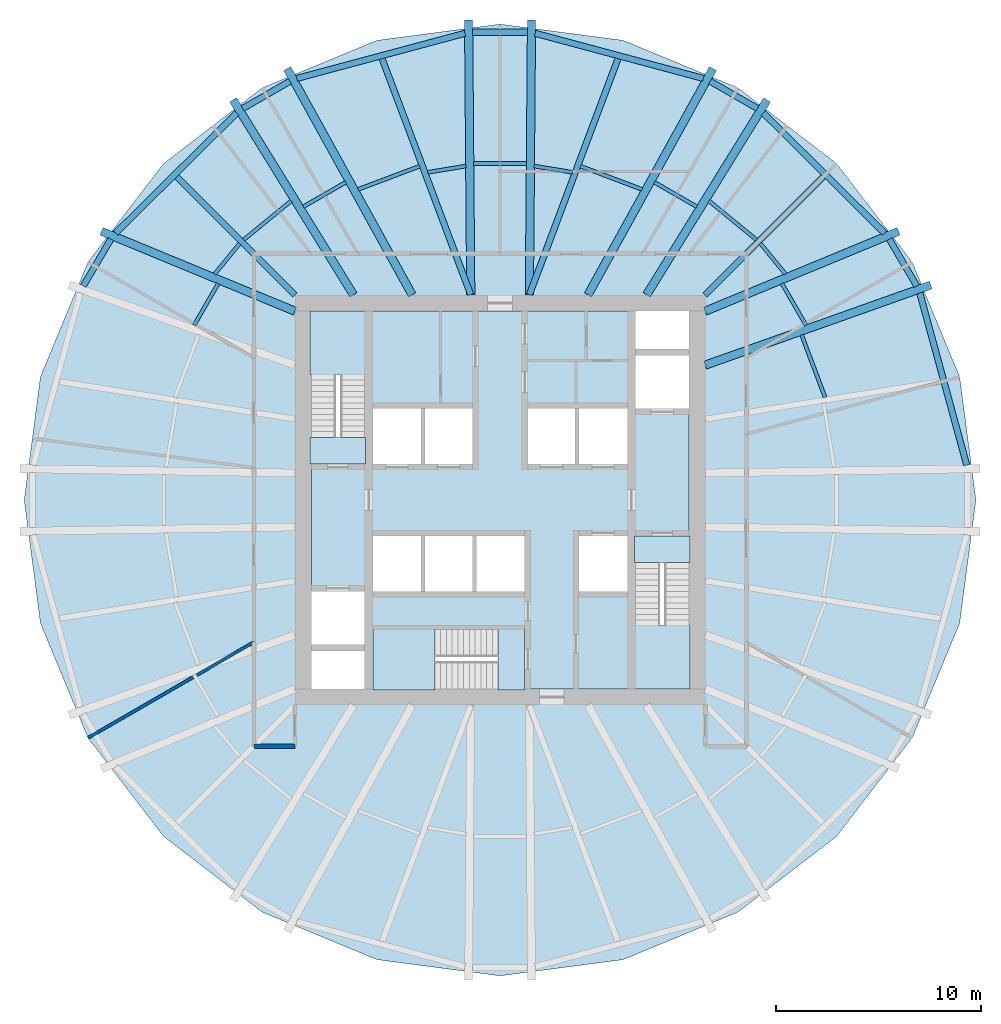
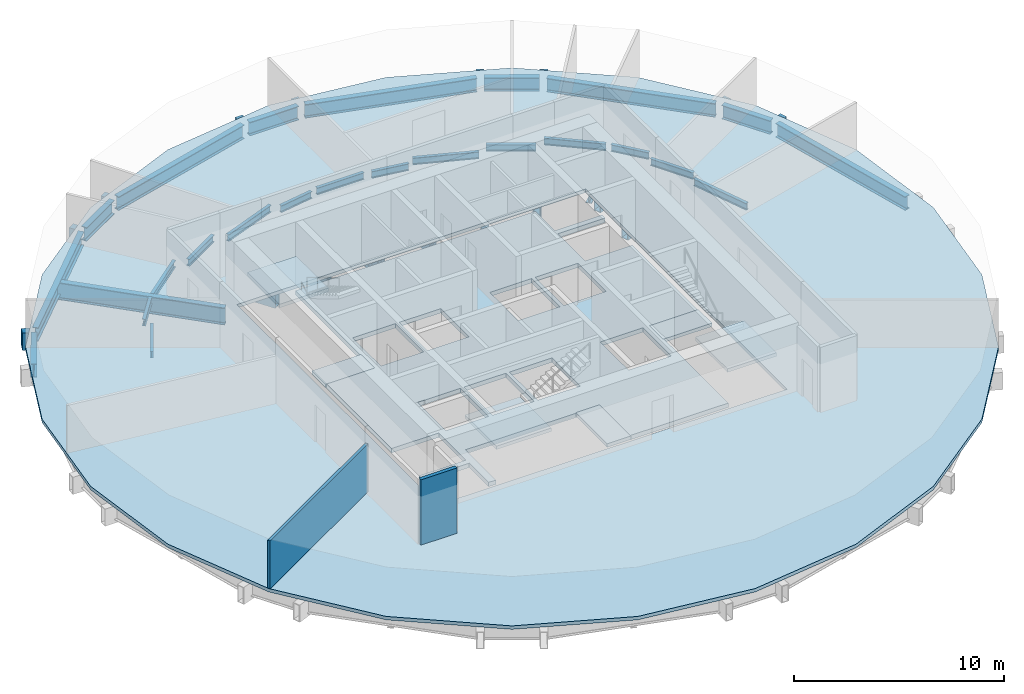
# One storey, part 2 of 6: 37 beams, 8 slabs, 2 walls, 3 elements without a shape of their own.
"""IFC4 building model written with IfcOpenShell, lengths in metres."""

from ifc_helpers import new_model, si_unit, direction, frame, frame_2d, origin, origin_2d, place, context, subcontext, project, spatial, polyline, rectangle, hollow_rectangle, i_section, outline, extrude, material, layer, layer_set, material_profile, profile_set, type_object, element, aggregate, save


model = new_model("IFC4")

# Units and contexts
model_context = context("Model", 3, precision=1e-05, world=origin(), true_north=direction((0.0, 1.0)))
body_context = subcontext(model_context, "Body", "Model", "MODEL_VIEW")
ifc_project = project(units=[si_unit("LENGTHUNIT", "METRE"), si_unit("AREAUNIT", "SQUARE_METRE"), si_unit("VOLUMEUNIT", "CUBIC_METRE"), si_unit("PLANEANGLEUNIT", "RADIAN"), si_unit("MASSUNIT", "GRAM", prefix="KILO")], contexts=[model_context])

# Site, building, storey
site_placement = place(None, origin())
site = spatial("IfcSite", under=ifc_project, at=site_placement, CompositionType="ELEMENT")
building_placement = place(site_placement, origin())
building = spatial("IfcBuilding", under=site, at=building_placement, Name="Golbaran Civic Tower", CompositionType="ELEMENT")
storey_placement = place(building_placement, frame((0.0, 0.0, 49.0)))
storey = spatial("IfcBuildingStorey", under=building, at=storey_placement, Name="L11", CompositionType="ELEMENT", Elevation=49.0)

# Beams
ifc_material_1 = material(Name="Steel S355", Category="steel")
ifc_material_profile_1 = material_profile(ifc_material_1, i_section(OverallWidth=0.300048828125, OverallDepth=0.800048828125, WebThickness=0.017578125, FlangeThickness=0.032958984375, FilletRadius=0.030029296875, at=origin_2d()), Name="HEB 800")
ifc_profile_set_1 = profile_set([ifc_material_profile_1], Name="Steel S355")
beam_type_1 = type_object("IfcBeamType", Name="EDGE BEAM HEB 800", PredefinedType="BEAM", material=ifc_profile_set_1)
beam_1_placement = place(storey_placement, frame((22.742431640625, 1.697998046875, -0.60009765625), z_axis=(-0.263276423612, 0.964720438661, 0.0), x_axis=(-0.964720438661, -0.263276423612, 0.0)))
element("IfcBeam", 1, at=beam_1_placement, inside=storey, type_object=beam_type_1, Name="Edge beam 3.66 L11", PredefinedType="BEAM", context=body_context, shape_type="SweptSolid", body=[
    extrude(i_section(OverallWidth=0.300048828125, OverallDepth=0.800048828125, WebThickness=0.017578125, FlangeThickness=0.032958984375, FilletRadius=0.030029296875, at=origin_2d()), origin(), (0.0, 0.0, 1.0), 8.703857421875),
])
beam_2_placement = place(storey_placement, frame((20.310546875, 10.427001953125, -0.60009765625), z_axis=(-0.507587353896, 0.861600300699, 0.0), x_axis=(-0.861600300699, -0.507587353896, 0.0)))
element("IfcBeam", 2, at=beam_2_placement, inside=storey, type_object=beam_type_1, Name="Edge beam 26.34 L11", PredefinedType="BEAM", context=body_context, shape_type="SweptSolid", body=[
    extrude(i_section(OverallWidth=0.300048828125, OverallDepth=0.800048828125, WebThickness=0.017578125, FlangeThickness=0.032958984375, FilletRadius=0.030029296875, at=origin_2d()), origin(), (0.0, 0.0, 1.0), 2.651611328125),
])
beam_3_placement = place(storey_placement, frame((18.733642578125, 13.005615234375, -0.60009765625), z_axis=(-0.710314694297, 0.703884248344, 0.0), x_axis=(-0.703884248344, -0.710314694297, 0.0)))
element("IfcBeam", 3, at=beam_3_placement, inside=storey, type_object=beam_type_1, Name="Edge beam 33.66 L11", PredefinedType="BEAM", context=body_context, shape_type="SweptSolid", body=[
    extrude(i_section(OverallWidth=0.300048828125, OverallDepth=0.800048828125, WebThickness=0.017578125, FlangeThickness=0.032958984375, FilletRadius=0.030029296875, at=origin_2d()), origin(), (0.0, 0.0, 1.0), 8.314697265625),
])
beam_4_placement = place(storey_placement, frame((12.54052734375, 19.078369140625, -0.60009765625), z_axis=(-0.866205476031, 0.499687975934, 0.0), x_axis=(-0.499687975934, -0.866205476031, 0.0)))
element("IfcBeam", 4, at=beam_4_placement, inside=storey, type_object=beam_type_1, Name="Edge beam 56.34 L11", PredefinedType="BEAM", context=body_context, shape_type="SweptSolid", body=[
    extrude(i_section(OverallWidth=0.300048828125, OverallDepth=0.800048828125, WebThickness=0.017578125, FlangeThickness=0.032958984375, FilletRadius=0.030029296875, at=origin_2d()), origin(), (0.0, 0.0, 1.0), 2.656494140625),
])
beam_5_placement = place(storey_placement, frame((9.904541015625, 20.543701171875, -0.60009765625), z_axis=(-0.96584705219, 0.259112855288, 0.0), x_axis=(-0.259112855288, -0.96584705219, 0.0)))
element("IfcBeam", 5, at=beam_5_placement, inside=storey, type_object=beam_type_1, Name="Edge beam 63.66 L11", PredefinedType="BEAM", context=body_context, shape_type="SweptSolid", body=[
    extrude(i_section(OverallWidth=0.300048828125, OverallDepth=0.800048828125, WebThickness=0.017578125, FlangeThickness=0.032958984375, FilletRadius=0.030029296875, at=origin_2d()), origin(), (0.0, 0.0, 1.0), 8.485595703125),
])
beam_6_placement = place(storey_placement, frame((1.34912109375, 22.790771484375, -0.60009765625), z_axis=(-1.0, 0.0, 0.0), x_axis=(0.0, -1.0, 0.0)))
element("IfcBeam", 6, at=beam_6_placement, inside=storey, type_object=beam_type_1, Name="Edge beam 86.34 L11", PredefinedType="BEAM", context=body_context, shape_type="SweptSolid", body=[
    extrude(i_section(OverallWidth=0.300048828125, OverallDepth=0.800048828125, WebThickness=0.017578125, FlangeThickness=0.032958984375, FilletRadius=0.030029296875, at=origin_2d()), origin(), (0.0, 0.0, 1.0), 2.6982421875),
])
beam_7_placement = place(storey_placement, frame((-1.708740234375, 22.742431640625, -0.60009765625), z_axis=(-0.96584705219, -0.259112855288, 0.0), x_axis=(0.259112855288, -0.96584705219, 0.0)))
element("IfcBeam", 7, at=beam_7_placement, inside=storey, type_object=beam_type_1, Name="Edge beam 93.66 L11", PredefinedType="BEAM", context=body_context, shape_type="SweptSolid", body=[
    extrude(i_section(OverallWidth=0.300048828125, OverallDepth=0.800048828125, WebThickness=0.017578125, FlangeThickness=0.032958984375, FilletRadius=0.030029296875, at=origin_2d()), origin(), (0.0, 0.0, 1.0), 8.485595703125),
])
beam_8_placement = place(storey_placement, frame((-10.239501953125, 20.40576171875, -0.60009765625), z_axis=(-0.866205476031, -0.499687975934, 0.0), x_axis=(0.499687975934, -0.866205476031, 0.0)))
element("IfcBeam", 8, at=beam_8_placement, inside=storey, type_object=beam_type_1, Name="Edge beam 116.34 L11", PredefinedType="BEAM", context=body_context, shape_type="SweptSolid", body=[
    extrude(i_section(OverallWidth=0.300048828125, OverallDepth=0.800048828125, WebThickness=0.017578125, FlangeThickness=0.032958984375, FilletRadius=0.030029296875, at=origin_2d()), origin(), (0.0, 0.0, 1.0), 2.656494140625),
])
beam_9_placement = place(storey_placement, frame((-12.82763671875, 18.858154296875, -0.60009765625), z_axis=(-0.710314694297, -0.703884248344, 0.0), x_axis=(0.703884248344, -0.710314694297, 0.0)))
element("IfcBeam", 9, at=beam_9_placement, inside=storey, type_object=beam_type_1, Name="Edge beam 123.66 L11", PredefinedType="BEAM", context=body_context, shape_type="SweptSolid", body=[
    extrude(i_section(OverallWidth=0.300048828125, OverallDepth=0.800048828125, WebThickness=0.017578125, FlangeThickness=0.032958984375, FilletRadius=0.030029296875, at=origin_2d()), origin(), (0.0, 0.0, 1.0), 8.314697265625),
])
beam_10_placement = place(storey_placement, frame((-18.964599609375, 12.711669921875, -0.60009765625), z_axis=(-0.507587353896, -0.861600300699, 0.0), x_axis=(0.861600300699, -0.507587353896, 0.0)))
element("IfcBeam", 10, at=beam_10_placement, inside=storey, type_object=beam_type_1, Name="Edge beam 146.34 L11", PredefinedType="BEAM", context=body_context, shape_type="SweptSolid", body=[
    extrude(i_section(OverallWidth=0.300048828125, OverallDepth=0.800048828125, WebThickness=0.017578125, FlangeThickness=0.032958984375, FilletRadius=0.030029296875, at=origin_2d()), origin(), (0.0, 0.0, 1.0), 2.651611328125),
])
ifc_material_profile_2 = material_profile(ifc_material_1, i_section(OverallWidth=0.179931640625, OverallDepth=0.39990234375, WebThickness=0.008544921875, FlangeThickness=0.013427734375, FilletRadius=0.02099609375, at=origin_2d()), Name="IPE 400")
ifc_profile_set_2 = profile_set([ifc_material_profile_2], Name="Steel S355")
beam_type_2 = type_object("IfcBeamType", Name="FLOOR INFILL BEAM IPE 400", PredefinedType="BEAM", material=ifc_profile_set_2)
beam_11_placement = place(storey_placement, frame((15.840576171875, 5.004638671875, -0.39990234375), z_axis=(-0.352981635382, 0.935630250197, 0.0), x_axis=(-0.935630250197, -0.352981635382, 0.0)))
element("IfcBeam", 11, at=beam_11_placement, inside=storey, type_object=beam_type_2, Name="Infill beam 20.67 L11", PredefinedType="BEAM", context=body_context, shape_type="SweptSolid", body=[
    extrude(i_section(OverallWidth=0.179931640625, OverallDepth=0.39990234375, WebThickness=0.008544921875, FlangeThickness=0.013427734375, FilletRadius=0.02099609375, at=origin_2d()), origin(), (0.0, 0.0, 1.0), 3.2529296875),
])
beam_12_placement = place(storey_placement, frame((14.91357421875, 8.5087890625, -0.39990234375), z_axis=(-0.499994490818, 0.866028584489, 0.0), x_axis=(-0.866028584489, -0.499994490818, 0.0)))
element("IfcBeam", 12, at=beam_12_placement, inside=storey, type_object=beam_type_2, Name="Infill beam 30.00 L11", PredefinedType="BEAM", context=body_context, shape_type="SweptSolid", body=[
    extrude(i_section(OverallWidth=0.179931640625, OverallDepth=0.39990234375, WebThickness=0.008544921875, FlangeThickness=0.013427734375, FilletRadius=0.02099609375, at=origin_2d()), origin(), (0.0, 0.0, 1.0), 2.3564453125),
])
beam_13_placement = place(storey_placement, frame((13.908203125, 11.0107421875, -0.39990234375), z_axis=(-0.633823662999, 0.773477578358, 0.0), x_axis=(-0.773477578358, -0.633823662999, 0.0)))
element("IfcBeam", 13, at=beam_13_placement, inside=storey, type_object=beam_type_2, Name="Infill beam 39.33 L11", PredefinedType="BEAM", context=body_context, shape_type="SweptSolid", body=[
    extrude(i_section(OverallWidth=0.179931640625, OverallDepth=0.39990234375, WebThickness=0.008544921875, FlangeThickness=0.013427734375, FilletRadius=0.02099609375, at=origin_2d()), origin(), (0.0, 0.0, 1.0), 1.92822265625),
])
beam_14_placement = place(storey_placement, frame((12.4951171875, 12.678955078125, -0.39990234375), z_axis=(-0.773506224093, 0.633788703978, 0.0), x_axis=(-0.633788703978, -0.773506224093, 0.0)))
element("IfcBeam", 14, at=beam_14_placement, inside=storey, type_object=beam_type_2, Name="Infill beam 50.67 L11", PredefinedType="BEAM", context=body_context, shape_type="SweptSolid", body=[
    extrude(i_section(OverallWidth=0.179931640625, OverallDepth=0.39990234375, WebThickness=0.008544921875, FlangeThickness=0.013427734375, FilletRadius=0.02099609375, at=origin_2d()), origin(), (0.0, 0.0, 1.0), 2.991455078125),
])
beam_15_placement = place(storey_placement, frame((9.58349609375, 14.292724609375, -0.39990234375), z_axis=(-0.866052464367, 0.499953126767, 0.0), x_axis=(-0.499953126767, -0.866052464367, 0.0)))
element("IfcBeam", 15, at=beam_15_placement, inside=storey, type_object=beam_type_2, Name="Infill beam 60.00 L11", PredefinedType="BEAM", context=body_context, shape_type="SweptSolid", body=[
    extrude(i_section(OverallWidth=0.179931640625, OverallDepth=0.39990234375, WebThickness=0.008544921875, FlangeThickness=0.013427734375, FilletRadius=0.02099609375, at=origin_2d()), origin(), (0.0, 0.0, 1.0), 2.382080078125),
])
beam_16_placement = place(storey_placement, frame((6.9169921875, 15.1357421875, -0.39990234375), z_axis=(-0.935647784584, 0.352935154387, 0.0), x_axis=(-0.352935154387, -0.935647784584, 0.0)))
element("IfcBeam", 16, at=beam_16_placement, inside=storey, type_object=beam_type_2, Name="Infill beam 69.33 L11", PredefinedType="BEAM", context=body_context, shape_type="SweptSolid", body=[
    extrude(i_section(OverallWidth=0.179931640625, OverallDepth=0.39990234375, WebThickness=0.008544921875, FlangeThickness=0.013427734375, FilletRadius=0.02099609375, at=origin_2d()), origin(), (0.0, 0.0, 1.0), 3.203369140625),
])
beam_17_placement = place(storey_placement, frame((3.529052734375, 15.9658203125, -0.39990234375), z_axis=(-0.986774033504, 0.162101840838, 0.0), x_axis=(-0.162101840838, -0.986774033504, 0.0)))
element("IfcBeam", 17, at=beam_17_placement, inside=storey, type_object=beam_type_2, Name="Infill beam 80.67 L11", PredefinedType="BEAM", context=body_context, shape_type="SweptSolid", body=[
    extrude(i_section(OverallWidth=0.179931640625, OverallDepth=0.39990234375, WebThickness=0.008544921875, FlangeThickness=0.013427734375, FilletRadius=0.02099609375, at=origin_2d()), origin(), (0.0, 0.0, 1.0), 1.896240234375),
])
beam_18_placement = place(storey_placement, frame((1.298828125, 16.395263671875, -0.39990234375), z_axis=(-1.0, 0.0, 0.0), x_axis=(0.0, -1.0, 0.0)))
element("IfcBeam", 18, at=beam_18_placement, inside=storey, type_object=beam_type_2, Name="Infill beam 90.00 L11", PredefinedType="BEAM", context=body_context, shape_type="SweptSolid", body=[
    extrude(i_section(OverallWidth=0.179931640625, OverallDepth=0.39990234375, WebThickness=0.008544921875, FlangeThickness=0.013427734375, FilletRadius=0.02099609375, at=origin_2d()), origin(), (0.0, 0.0, 1.0), 2.59765625),
])
beam_19_placement = place(storey_placement, frame((-1.657958984375, 16.273193359375, -0.39990234375), z_axis=(-0.986774033504, -0.162101840838, 0.0), x_axis=(0.162101840838, -0.986774033504, 0.0)))
element("IfcBeam", 19, at=beam_19_placement, inside=storey, type_object=beam_type_2, Name="Infill beam 99.33 L11", PredefinedType="BEAM", context=body_context, shape_type="SweptSolid", body=[
    extrude(i_section(OverallWidth=0.179931640625, OverallDepth=0.39990234375, WebThickness=0.008544921875, FlangeThickness=0.013427734375, FilletRadius=0.02099609375, at=origin_2d()), origin(), (0.0, 0.0, 1.0), 1.896240234375),
])
beam_20_placement = place(storey_placement, frame((-3.919677734375, 16.266357421875, -0.39990234375), z_axis=(-0.935647784584, -0.352935154387, 0.0), x_axis=(0.352935154387, -0.935647784584, 0.0)))
element("IfcBeam", 20, at=beam_20_placement, inside=storey, type_object=beam_type_2, Name="Infill beam 110.67 L11", PredefinedType="BEAM", context=body_context, shape_type="SweptSolid", body=[
    extrude(i_section(OverallWidth=0.179931640625, OverallDepth=0.39990234375, WebThickness=0.008544921875, FlangeThickness=0.013427734375, FilletRadius=0.02099609375, at=origin_2d()), origin(), (0.0, 0.0, 1.0), 3.203369140625),
])
beam_21_placement = place(storey_placement, frame((-7.5205078125, 15.483642578125, -0.39990234375), z_axis=(-0.866052464367, -0.499953126767, 0.0), x_axis=(0.499953126767, -0.866052464367, 0.0)))
element("IfcBeam", 21, at=beam_21_placement, inside=storey, type_object=beam_type_2, Name="Infill beam 120.00 L11", PredefinedType="BEAM", context=body_context, shape_type="SweptSolid", body=[
    extrude(i_section(OverallWidth=0.179931640625, OverallDepth=0.39990234375, WebThickness=0.008544921875, FlangeThickness=0.013427734375, FilletRadius=0.02099609375, at=origin_2d()), origin(), (0.0, 0.0, 1.0), 2.382080078125),
])
beam_22_placement = place(storey_placement, frame((-10.18115234375, 14.574951171875, -0.39990234375), z_axis=(-0.773506224093, -0.633788703978, 0.0), x_axis=(0.633788703978, -0.773506224093, 0.0)))
element("IfcBeam", 22, at=beam_22_placement, inside=storey, type_object=beam_type_2, Name="Infill beam 129.33 L11", PredefinedType="BEAM", context=body_context, shape_type="SweptSolid", body=[
    extrude(i_section(OverallWidth=0.179931640625, OverallDepth=0.39990234375, WebThickness=0.008544921875, FlangeThickness=0.013427734375, FilletRadius=0.02099609375, at=origin_2d()), origin(), (0.0, 0.0, 1.0), 2.991455078125),
])
beam_23_placement = place(storey_placement, frame((-12.68603515625, 12.502197265625, -0.39990234375), z_axis=(-0.633823662999, -0.773477578358, 0.0), x_axis=(0.773477578358, -0.633823662999, 0.0)))
element("IfcBeam", 23, at=beam_23_placement, inside=storey, type_object=beam_type_2, Name="Infill beam 140.67 L11", PredefinedType="BEAM", context=body_context, shape_type="SweptSolid", body=[
    extrude(i_section(OverallWidth=0.179931640625, OverallDepth=0.39990234375, WebThickness=0.008544921875, FlangeThickness=0.013427734375, FilletRadius=0.02099609375, at=origin_2d()), origin(), (0.0, 0.0, 1.0), 1.92822265625),
])
beam_24_placement = place(storey_placement, frame((-13.7353515625, 10.549560546875, -0.39990234375), z_axis=(-0.499994490818, -0.866028584489, 0.0), x_axis=(0.866028584489, -0.499994490818, 0.0)))
element("IfcBeam", 24, at=beam_24_placement, inside=storey, type_object=beam_type_2, Name="Infill beam 150.00 L11", PredefinedType="BEAM", context=body_context, shape_type="SweptSolid", body=[
    extrude(i_section(OverallWidth=0.179931640625, OverallDepth=0.39990234375, WebThickness=0.008544921875, FlangeThickness=0.013427734375, FilletRadius=0.02099609375, at=origin_2d()), origin(), (0.0, 0.0, 1.0), 2.3564453125),
])
ifc_material_profile_3 = material_profile(ifc_material_1, hollow_rectangle(XDim=0.39990234375, YDim=1.0, WallThickness=0.0400390625, at=origin_2d()), Name="BOX 1000x400x40")
ifc_profile_set_3 = profile_set([ifc_material_profile_3], Name="Steel S355")
beam_type_3 = type_object("IfcBeamType", Name="RADIAL FLOOR BEAM BOX 1000x400x40", PredefinedType="BEAM", material=ifc_profile_set_3)
beam_25_placement = place(storey_placement, frame((10.0, 6.571533203125, -0.7099609375), z_axis=(0.942260349036, 0.334881224668, 0.0), x_axis=(-0.334881224668, 0.942260349036, 0.0)))
element("IfcBeam", 25, at=beam_25_placement, inside=storey, type_object=beam_type_3, Name="Radial beam 26.34 L11", PredefinedType="BEAM", context=body_context, shape_type="SweptSolid", body=[
    extrude(hollow_rectangle(XDim=0.39990234375, YDim=1.0, WallThickness=0.0400390625, at=origin_2d()), origin(), (0.0, 0.0, 1.0), 11.662353515625),
])
beam_26_placement = place(storey_placement, frame((10.0, 9.199951171875, -0.7099609375), z_axis=(0.924125618156, 0.382088787937, 0.0), x_axis=(-0.382088787937, 0.924125618156, 0.0)))
element("IfcBeam", 26, at=beam_26_placement, inside=storey, type_object=beam_type_3, Name="Radial beam 33.66 L11", PredefinedType="BEAM", context=body_context, shape_type="SweptSolid", body=[
    extrude(hollow_rectangle(XDim=0.39990234375, YDim=1.0, WallThickness=0.0400390625, at=origin_2d()), origin(), (0.0, 0.0, 1.0), 10.194580078125),
])
beam_27_placement = place(storey_placement, frame((7.142822265625, 10.0, -0.7099609375), z_axis=(0.525628799704, 0.8507140324, 0.0), x_axis=(-0.8507140324, 0.525628799704, 0.0)))
element("IfcBeam", 27, at=beam_27_placement, inside=storey, type_object=beam_type_3, Name="Radial beam 56.34 L11", PredefinedType="BEAM", context=body_context, shape_type="SweptSolid", body=[
    extrude(hollow_rectangle(XDim=0.39990234375, YDim=1.0, WallThickness=0.0400390625, at=origin_2d()), origin(), (0.0, 0.0, 1.0), 11.166015625),
])
beam_28_placement = place(storey_placement, frame((4.28564453125, 10.0, -0.7099609375), z_axis=(0.483540685927, 0.875321886539, 0.0), x_axis=(-0.875321886539, 0.483540685927, 0.0)))
element("IfcBeam", 28, at=beam_28_placement, inside=storey, type_object=beam_type_3, Name="Radial beam 63.66 L11", PredefinedType="BEAM", context=body_context, shape_type="SweptSolid", body=[
    extrude(hollow_rectangle(XDim=0.39990234375, YDim=1.0, WallThickness=0.0400390625, at=origin_2d()), origin(), (0.0, 0.0, 1.0), 12.59033203125),
])
for number, where, z_axis, x_axis, name in (
    (29, (1.428466796875, 10.0, -0.7099609375), (0.007858697544, 0.99996911996, 0.0), (-0.99996911996, 0.007858697544, 0.0), "Radial beam 86.34 L11"),
    (30, (-1.428466796875, 10.0, -0.7099609375), (-0.007858697544, 0.99996911996, 0.0), (-0.99996911996, -0.007858697544, 0.0), "Radial beam 93.66 L11"),
):
    element("IfcBeam", number, at=place(storey_placement, frame(where, z_axis=z_axis, x_axis=x_axis)), inside=storey, type_object=beam_type_3, Name=name, PredefinedType="BEAM", context=body_context, shape_type="SweptSolid", body=[
        extrude(hollow_rectangle(XDim=0.39990234375, YDim=1.0, WallThickness=0.0400390625, at=origin_2d()), origin(), (0.0, 0.0, 1.0), 13.3896484375),
    ])
beam_29_placement = place(storey_placement, frame((-4.28564453125, 10.0, -0.7099609375), z_axis=(-0.483540685927, 0.875321886539, 0.0), x_axis=(-0.875321886539, -0.483540685927, 0.0)))
element("IfcBeam", 31, at=beam_29_placement, inside=storey, type_object=beam_type_3, Name="Radial beam 116.34 L11", PredefinedType="BEAM", context=body_context, shape_type="SweptSolid", body=[
    extrude(hollow_rectangle(XDim=0.39990234375, YDim=1.0, WallThickness=0.0400390625, at=origin_2d()), origin(), (0.0, 0.0, 1.0), 12.59033203125),
])
beam_30_placement = place(storey_placement, frame((-7.142822265625, 10.0, -0.7099609375), z_axis=(-0.525628799704, 0.8507140324, 0.0), x_axis=(-0.8507140324, -0.525628799704, 0.0)))
element("IfcBeam", 32, at=beam_30_placement, inside=storey, type_object=beam_type_3, Name="Radial beam 123.66 L11", PredefinedType="BEAM", context=body_context, shape_type="SweptSolid", body=[
    extrude(hollow_rectangle(XDim=0.39990234375, YDim=1.0, WallThickness=0.0400390625, at=origin_2d()), origin(), (0.0, 0.0, 1.0), 11.166015625),
])
beam_31_placement = place(storey_placement, frame((-10.0, 9.199951171875, -0.7099609375), z_axis=(-0.924125618156, 0.382088787937, 0.0), x_axis=(-0.382088787937, -0.924125618156, 0.0)))
element("IfcBeam", 33, at=beam_31_placement, inside=storey, type_object=beam_type_3, Name="Radial beam 146.34 L11", PredefinedType="BEAM", context=body_context, shape_type="SweptSolid", body=[
    extrude(hollow_rectangle(XDim=0.39990234375, YDim=1.0, WallThickness=0.0400390625, at=origin_2d()), origin(), (0.0, 0.0, 1.0), 10.194580078125),
])
ifc_material_profile_4 = material_profile(ifc_material_1, i_section(OverallWidth=0.300048828125, OverallDepth=1.0, WebThickness=0.01904296875, FlangeThickness=0.035888671875, FilletRadius=0.030029296875, at=origin_2d()), Name="HEB 1000")
ifc_profile_set_4 = profile_set([ifc_material_profile_4], Name="Steel S355")
beam_type_4 = type_object("IfcBeamType", Name="SECONDARY FLOOR BEAM HEB 1000", PredefinedType="BEAM", material=ifc_profile_set_4)
beam_32_placement = place(storey_placement, frame((10.0, 10.0, -0.7099609375), z_axis=(0.707106781187, 0.707106781187, 0.0), x_axis=(-0.707106781187, 0.707106781187, 0.0)))
element("IfcBeam", 34, at=beam_32_placement, inside=storey, type_object=beam_type_4, Name="Secondary beam 45.00 L11", PredefinedType="BEAM", context=body_context, shape_type="SweptSolid", body=[
    extrude(i_section(OverallWidth=0.300048828125, OverallDepth=1.0, WebThickness=0.01904296875, FlangeThickness=0.035888671875, FilletRadius=0.030029296875, at=origin_2d()), origin(), (0.0, 0.0, 1.0), 8.28271484375),
])
for number, where, z_axis, x_axis, name in (
    (35, (1.428466796875, 10.0, -0.7099609375), (0.351437468166, 0.93621135753, 0.0), (-0.93621135753, 0.351437468166, 0.0), "Secondary beam 75.00 L11"),
    (36, (-1.428466796875, 10.0, -0.7099609375), (-0.351437468166, 0.93621135753, 0.0), (-0.93621135753, -0.351437468166, 0.0), "Secondary beam 105.00 L11"),
):
    element("IfcBeam", number, at=place(storey_placement, frame(where, z_axis=z_axis, x_axis=x_axis)), inside=storey, type_object=beam_type_4, Name=name, PredefinedType="BEAM", context=body_context, shape_type="SweptSolid", body=[
        extrude(i_section(OverallWidth=0.300048828125, OverallDepth=1.0, WebThickness=0.01904296875, FlangeThickness=0.035888671875, FilletRadius=0.030029296875, at=origin_2d()), origin(), (0.0, 0.0, 1.0), 12.4384765625),
    ])
beam_33_placement = place(storey_placement, frame((-10.0, 10.0, -0.7099609375), z_axis=(-0.707106781187, 0.707106781187, 0.0), x_axis=(-0.707106781187, -0.707106781187, 0.0)))
element("IfcBeam", 37, at=beam_33_placement, inside=storey, type_object=beam_type_4, Name="Secondary beam 135.00 L11", PredefinedType="BEAM", context=body_context, shape_type="SweptSolid", body=[
    extrude(i_section(OverallWidth=0.300048828125, OverallDepth=1.0, WebThickness=0.01904296875, FlangeThickness=0.035888671875, FilletRadius=0.030029296875, at=origin_2d()), origin(), (0.0, 0.0, 1.0), 8.28271484375),
])

# Slabs
ifc_material_2 = material(Name="Concrete LC30/33 lightweight on steel deck", Category="concrete")
ifc_layer_1 = layer(ifc_material_2, 0.199951171875, Name="Concrete LC30/33 lightweight on steel deck")
ifc_layer_set_1 = layer_set([ifc_layer_1], Name="Concrete LC30/33 lightweight on steel deck")
slab_type_1 = type_object("IfcSlabType", Name="COMPOSITE FLOOR SLAB 200", PredefinedType="FLOOR", material=ifc_layer_set_1)
slab_1_placement = place(storey_placement, frame((0.0, 0.0, -0.199951171875)))
element("IfcSlab", 38, at=slab_1_placement, inside=storey, type_object=slab_type_1, Name="Floor slab L11", PredefinedType="FLOOR", context=body_context, shape_type="SweptSolid", body=[
    extrude(outline(polyline([(20.08349609375, -11.59521484375), (16.39794921875, -16.39794921875), (11.59521484375, -20.08349609375), (6.002197265625, -22.400146484375), (0.0, -23.1904296875), (-6.002197265625, -22.400146484375), (-11.59521484375, -20.08349609375), (-16.39794921875, -16.39794921875), (-20.08349609375, -11.59521484375), (-22.400146484375, -6.002197265625), (-23.1904296875, 0.0), (-22.400146484375, 6.002197265625), (-20.08349609375, 11.59521484375), (-16.39794921875, 16.39794921875), (-11.59521484375, 20.08349609375), (-6.002197265625, 22.400146484375), (0.0, 23.1904296875), (6.002197265625, 22.400146484375), (11.59521484375, 20.08349609375), (16.39794921875, 16.39794921875), (20.08349609375, 11.59521484375), (22.400146484375, 6.002197265625), (23.1904296875, 0.0), (22.400146484375, -6.002197265625), (20.08349609375, -11.59521484375)]), holes=[polyline([(-9.60009765625, 9.60009765625), (-9.60009765625, -9.60009765625), (9.60009765625, -9.60009765625), (9.60009765625, 9.60009765625), (-9.60009765625, 9.60009765625)])]), origin(), (0.0, 0.0, 1.0), 0.199951171875),
])
ifc_material_3 = material(Name="Concrete C35/45", Category="concrete")
ifc_layer_2 = layer(ifc_material_3, 0.25, Name="Concrete C35/45")
ifc_layer_set_2 = layer_set([ifc_layer_2], Name="Concrete C35/45")
slab_type_2 = type_object("IfcSlabType", Name="CORE FLOOR SLAB 250", PredefinedType="FLOOR", material=ifc_layer_set_2)
slab_2_placement = place(storey_placement, frame((0.0, 0.0, -0.25)))
element("IfcSlab", 39, at=slab_2_placement, inside=storey, type_object=slab_type_2, Name="Core floor slab L11", PredefinedType="FLOOR", context=body_context, shape_type="SweptSolid", body=[
    extrude(outline(polyline([(6.60009765625, -1.75), (6.60009765625, -9.199951171875), (1.199951171875, -9.199951171875), (1.199951171875, -6.300048828125), (-6.199951171875, -6.300048828125), (-6.199951171875, -9.199951171875), (-6.60009765625, -9.199951171875), (-6.60009765625, -7.35009765625), (-9.199951171875, -7.35009765625), (-9.199951171875, -7.050048828125), (-6.60009765625, -7.050048828125), (-6.60009765625, -4.449951171875), (-9.199951171875, -4.449951171875), (-9.199951171875, 1.75), (-6.60009765625, 1.75), (-6.60009765625, 9.199951171875), (6.60009765625, 9.199951171875), (6.60009765625, 7.35009765625), (9.199951171875, 7.35009765625), (9.199951171875, 7.050048828125), (6.60009765625, 7.050048828125), (6.60009765625, 4.449951171875), (9.199951171875, 4.449951171875), (9.199951171875, -1.75), (6.60009765625, -1.75)]), holes=[polyline([(6.199951171875, -1.75), (3.85009765625, -1.75), (3.85009765625, -4.449951171875), (6.199951171875, -4.449951171875), (6.199951171875, -1.75)]), polyline([(6.199951171875, 4.449951171875), (3.85009765625, 4.449951171875), (3.85009765625, 1.75), (6.199951171875, 1.75), (6.199951171875, 4.449951171875)]), polyline([(3.64990234375, 4.449951171875), (1.35009765625, 4.449951171875), (1.35009765625, 1.75), (3.64990234375, 1.75), (3.64990234375, 4.449951171875)]), polyline([(1.199951171875, -1.75), (-1.14990234375, -1.75), (-1.14990234375, -4.449951171875), (1.199951171875, -4.449951171875), (1.199951171875, -1.75)]), polyline([(-1.35009765625, 4.449951171875), (-3.64990234375, 4.449951171875), (-3.64990234375, 1.75), (-1.35009765625, 1.75), (-1.35009765625, 4.449951171875)]), polyline([(-1.35009765625, -1.75), (-3.64990234375, -1.75), (-3.64990234375, -4.449951171875), (-1.35009765625, -4.449951171875), (-1.35009765625, -1.75)]), polyline([(-3.85009765625, -1.75), (-6.199951171875, -1.75), (-6.199951171875, -4.449951171875), (-3.85009765625, -4.449951171875), (-3.85009765625, -1.75)]), polyline([(-3.85009765625, 4.449951171875), (-6.199951171875, 4.449951171875), (-6.199951171875, 1.75), (-3.85009765625, 1.75), (-3.85009765625, 4.449951171875)])]), origin(), (0.0, 0.0, 1.0), 0.25),
])

# Stair, slab
stair_type_1 = type_object("IfcStairType", Name="EXIT STAIR 2600 x 7450, 4000 RISE", PredefinedType="HALF_TURN_STAIR", material=ifc_material_3)
stair_1_placement = place(storey_placement, origin())
stair_1 = element("IfcStair", 40, at=stair_1_placement, inside=storey, type_object=stair_type_1, Name="Stair S1 L11", PredefinedType="HALF_TURN_STAIR")
ifc_layer_3 = layer(ifc_material_3, 0.199951171875, Name="Concrete C35/45")
ifc_layer_set_3 = layer_set([ifc_layer_3], Name="Concrete C35/45")
slab_type_3 = type_object("IfcSlabType", Name="STAIR LANDING 200", PredefinedType="LANDING", material=ifc_layer_set_3)
slab_3_placement = place(storey_placement, frame((0.0, 0.0, 1.800048828125)))
slab_3 = element("IfcSlab", 41, at=slab_3_placement, type_object=slab_type_3, Name="ST26074-40 landing 1", PredefinedType="LANDING", context=body_context, shape_type="SweptSolid", body=[
    extrude(outline(polyline([(-9.25, 6.125), (-9.25, 9.199951171875), (-6.550048828125, 9.199951171875), (-6.550048828125, 6.125), (-9.25, 6.125)])), origin(), (0.0, 0.0, 1.0), 0.199951171875),
])
aggregate(stair_1, [slab_3])

# Slab
slab_4_placement = place(storey_placement, frame((0.0, 0.0, -0.199951171875)))
element("IfcSlab", 42, at=slab_4_placement, inside=storey, type_object=slab_type_3, Name="Stair S1 floor landing L11", PredefinedType="LANDING", context=body_context, shape_type="SweptSolid", body=[
    extrude(outline(polyline([(-9.25, 1.75), (-9.25, 3.054931640625), (-6.550048828125, 3.054931640625), (-6.550048828125, 1.75), (-9.25, 1.75)])), origin(), (0.0, 0.0, 1.0), 0.199951171875),
])

# Stair, slab
stair_2_placement = place(storey_placement, origin())
stair_2 = element("IfcStair", 43, at=stair_2_placement, inside=storey, type_object=stair_type_1, Name="Stair S2 L11", PredefinedType="HALF_TURN_STAIR")
slab_5_placement = place(storey_placement, frame((0.0, 0.0, 1.800048828125)))
slab_5 = element("IfcSlab", 44, at=slab_5_placement, type_object=slab_type_3, Name="ST26074-40 landing 1", PredefinedType="LANDING", context=body_context, shape_type="SweptSolid", body=[
    extrude(outline(polyline([(9.25, -6.125), (9.25, -9.199951171875), (6.550048828125, -9.199951171875), (6.550048828125, -6.125), (9.25, -6.125)])), origin(), (0.0, 0.0, 1.0), 0.199951171875),
])
aggregate(stair_2, [slab_5])

# Slab
slab_6_placement = place(storey_placement, frame((0.0, 0.0, -0.199951171875)))
element("IfcSlab", 45, at=slab_6_placement, inside=storey, type_object=slab_type_3, Name="Stair S2 floor landing L11", PredefinedType="LANDING", context=body_context, shape_type="SweptSolid", body=[
    extrude(outline(polyline([(9.25, -1.75), (9.25, -3.054931640625), (6.550048828125, -3.054931640625), (6.550048828125, -1.75), (9.25, -1.75)])), origin(), (0.0, 0.0, 1.0), 0.199951171875),
])

# Stair, slab
stair_type_2 = type_object("IfcStairType", Name="EXIT STAIR 2900 x 7400, 4000 RISE", PredefinedType="HALF_TURN_STAIR", material=ifc_material_3)
stair_3_placement = place(storey_placement, origin())
stair_3 = element("IfcStair", 46, at=stair_3_placement, inside=storey, type_object=stair_type_2, Name="Stair S3 L11", PredefinedType="HALF_TURN_STAIR")
slab_7_placement = place(storey_placement, frame((0.0, 0.0, 1.800048828125)))
slab_7 = element("IfcSlab", 47, at=slab_7_placement, type_object=slab_type_3, Name="ST29074-40 landing 1", PredefinedType="LANDING", context=body_context, shape_type="SweptSolid", body=[
    extrude(outline(polyline([(-3.175048828125, -9.25), (-6.199951171875, -9.25), (-6.199951171875, -6.25), (-3.175048828125, -6.25), (-3.175048828125, -9.25)])), origin(), (0.0, 0.0, 1.0), 0.199951171875),
])
aggregate(stair_3, [slab_7])

# Slab
slab_8_placement = place(storey_placement, frame((0.0, 0.0, -0.199951171875)))
element("IfcSlab", 48, at=slab_8_placement, inside=storey, type_object=slab_type_3, Name="Stair S3 floor landing L11", PredefinedType="LANDING", context=body_context, shape_type="SweptSolid", body=[
    extrude(outline(polyline([(1.199951171875, -9.25), (-0.10498046875, -9.25), (-0.10498046875, -6.25), (1.199951171875, -6.25), (1.199951171875, -9.25)])), origin(), (0.0, 0.0, 1.0), 0.199951171875),
])

# Walls
ifc_material_4 = material(Name="Gypsum board on steel studs, fire-rated", Category="steel")
ifc_layer_4 = layer(ifc_material_4, 0.199951171875, Name="Gypsum board on steel studs, fire-rated")
ifc_layer_set_4 = layer_set([ifc_layer_4], Name="Gypsum board on steel studs, fire-rated")
wall_type_1 = type_object("IfcWallType", Name="CORRIDOR WALL 200", PredefinedType="PARTITIONING", material=ifc_layer_set_4)
wall_1_placement = place(storey_placement, frame((-12.0, -12.0, 0.0), z_axis=(0.0, 0.0, 1.0), x_axis=(1.0, 0.0, 0.0)))
element("IfcWall", 49, at=wall_1_placement, inside=storey, type_object=wall_type_1, Name="Corridor wall L11", PredefinedType="PARTITIONING", context=body_context, shape_type="SweptSolid", body=[
    extrude(rectangle(XDim=2.0, YDim=0.199951171875, at=frame_2d((1.0, 0.0))), origin(), (0.0, 0.0, 1.0), 3.800048828125),
])
ifc_material_5 = material(Name="Gypsum board on steel studs", Category="steel")
ifc_layer_5 = layer(ifc_material_5, 0.14990234375, Name="Gypsum board on steel studs")
ifc_layer_set_5 = layer_set([ifc_layer_5], Name="Gypsum board on steel studs")
wall_type_2 = type_object("IfcWallType", Name="OFFICE PARTITION 150", PredefinedType="PARTITIONING", material=ifc_layer_set_5)
wall_2_placement = place(storey_placement, frame((-12.0, -6.92822265625, 0.0), z_axis=(0.0, 0.0, 1.0), x_axis=(-0.866028610261, -0.499994446179, 0.0)))
element("IfcWall", 50, at=wall_2_placement, inside=storey, type_object=wall_type_2, Name="Partition 210 L11", PredefinedType="PARTITIONING", context=body_context, shape_type="SweptSolid", body=[
    extrude(rectangle(XDim=9.32373046875, YDim=0.14990234375, at=frame_2d((4.661865234375, 0.0))), origin(), (0.0, 0.0, 1.0), 2.7900390625),
])

save(model, "model.ifc")
